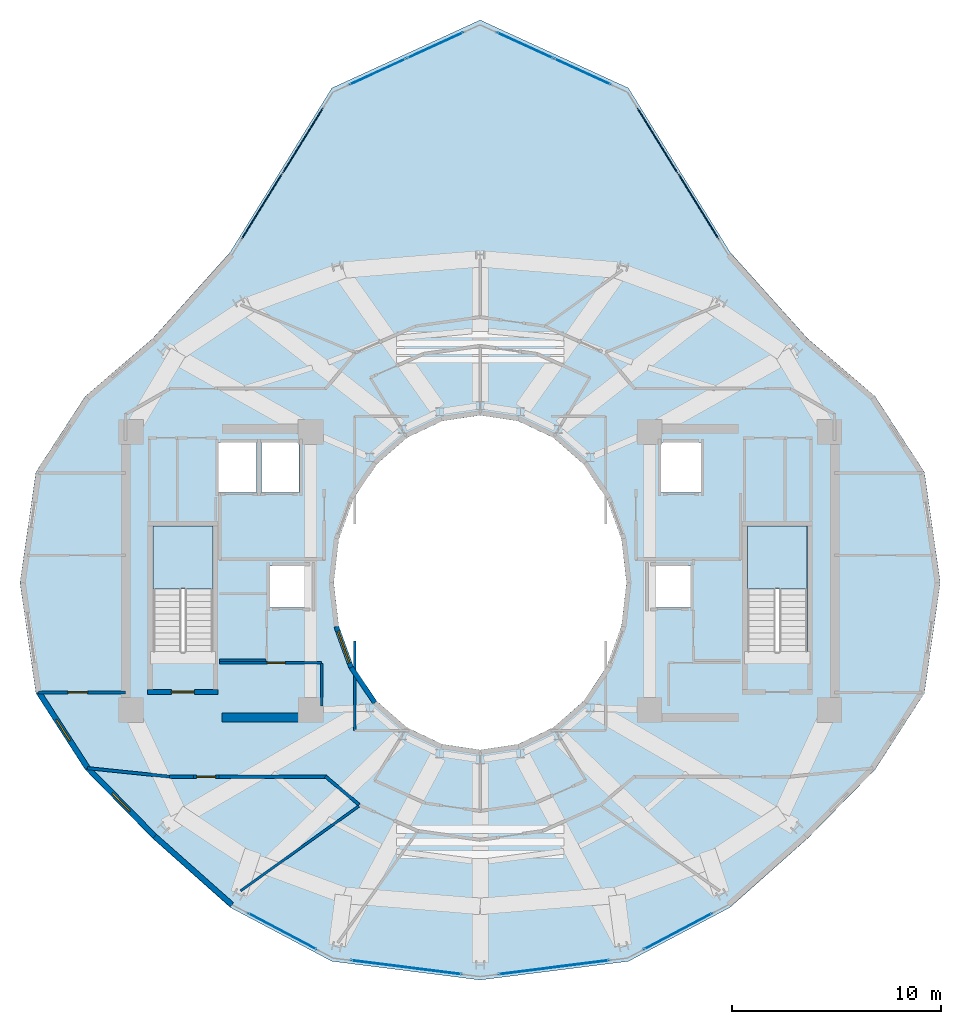
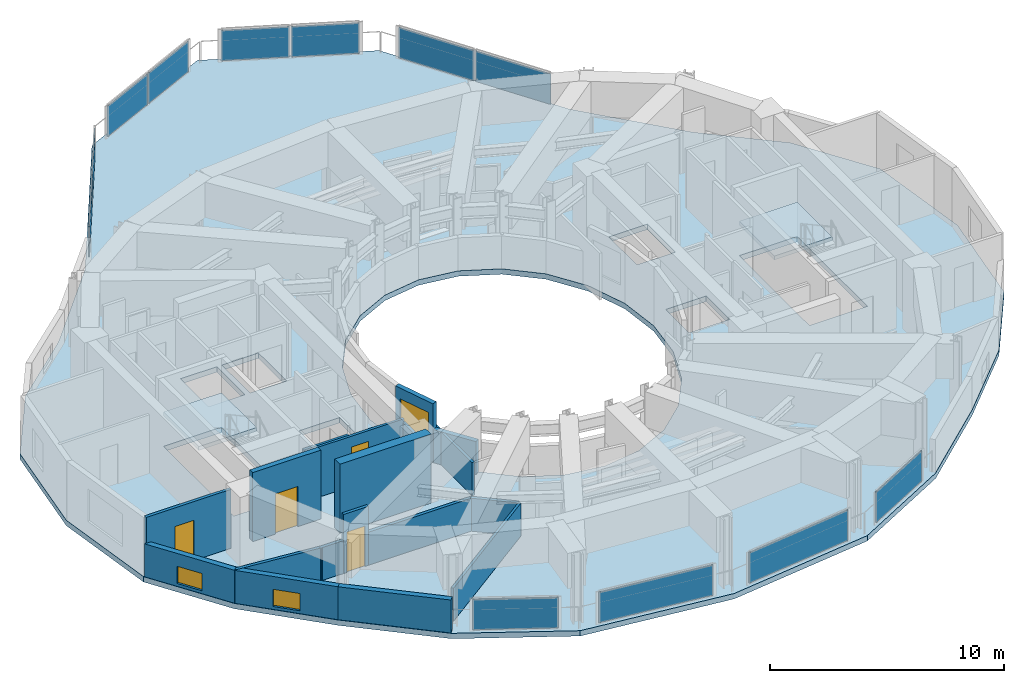
# One storey, part 13 of 21: 18 walls, 12 plates, 4 doors, 3 slabs, 3 windows, 7 openings, 10 elements without a shape of their own.
"""IFC4 building model written with IfcOpenShell, lengths in metres."""

from ifc_helpers import new_model, si_unit, direction, frame, frame_2d, origin, origin_2d, place, context, subcontext, project, spatial, polyline, rectangle, outline, extrude, material, layer, layer_set, type_object, element, fill, aggregate, save


model = new_model("IFC4")

# Units and contexts
model_context = context("Model", 3, precision=1e-05, world=origin(), true_north=direction((0.0, 1.0)))
body_context = subcontext(model_context, "Body", "Model", "MODEL_VIEW")
ifc_project = project(units=[si_unit("LENGTHUNIT", "METRE"), si_unit("AREAUNIT", "SQUARE_METRE"), si_unit("VOLUMEUNIT", "CUBIC_METRE"), si_unit("PLANEANGLEUNIT", "RADIAN"), si_unit("MASSUNIT", "GRAM", prefix="KILO")], contexts=[model_context])

# Site, building, storey
site_placement = place(None, origin())
site = spatial("IfcSite", under=ifc_project, at=site_placement, CompositionType="ELEMENT")
building_placement = place(site_placement, origin())
building = spatial("IfcBuilding", under=site, at=building_placement, Name="Solvane Sanctuary Tower", CompositionType="ELEMENT")
storey_placement = place(building_placement, frame((0.0, 0.0, 256.800048828125)))
storey = spatial("IfcBuildingStorey", under=building, at=storey_placement, Name="L78", CompositionType="ELEMENT", Elevation=256.800048828125)

# Curtain wall, plates
ifc_material_1 = material(Name="Anodised Aluminium 6063-T6", Category="aluminium")
ifc_layer_1 = layer(ifc_material_1, 0.18994140625, Name="Anodised Aluminium 6063-T6")
ifc_layer_set_1 = layer_set([ifc_layer_1], Name="Anodised Aluminium 6063-T6")
curtain_wall_type = type_object("IfcCurtainWallType", Name="Curtain Wall CW-OPER", PredefinedType="NOTDEFINED", material=ifc_layer_set_1)
curtain_wall_1_placement = place(storey_placement, origin())
curtain_wall_1 = element("IfcCurtainWall", 1, at=curtain_wall_1_placement, inside=storey, type_object=curtain_wall_type, Name="L78 CW-OPER Facade Run 04", PredefinedType="NOTDEFINED")
ifc_material_2 = material(Name="Dark Ceramic-Fritted Low-E Glass", Category="glass")
ifc_layer_2 = layer(ifc_material_2, 0.0419921875, Name="Dark Ceramic-Fritted Low-E Glass")
ifc_layer_set_2 = layer_set([ifc_layer_2], Name="Dark Ceramic-Fritted Low-E Glass")
plate_type = type_object("IfcPlateType", Name="Plate PN-OPER-VENT", PredefinedType="CURTAIN_PANEL", material=ifc_layer_set_2)
plate_1_placement = place(storey_placement, frame((42.437255859375, 40.978515625, 0.06494140625), z_axis=(0.0, 0.0, 1.0), x_axis=(-0.527391688453, 0.849622273102, 0.0)))
plate_1 = element("IfcPlate", 2, at=plate_1_placement, type_object=plate_type, Name="CW-OPER panel 1.1", PredefinedType="CURTAIN_PANEL", context=body_context, shape_type="SweptSolid", body=[
    extrude(rectangle(XDim=3.643798828125, YDim=0.0419921875, at=origin_2d()), origin(), (0.0, 0.0, 1.0), 1.590087890625),
])
plate_2_placement = place(storey_placement, frame((40.475830078125, 44.137939453125, 0.06494140625), z_axis=(0.0, 0.0, 1.0), x_axis=(-0.527391688453, 0.849622273102, 0.0)))
plate_2 = element("IfcPlate", 3, at=plate_2_placement, type_object=plate_type, Name="CW-OPER panel 2.1", PredefinedType="CURTAIN_PANEL", context=body_context, shape_type="SweptSolid", body=[
    extrude(rectangle(XDim=3.643798828125, YDim=0.0419921875, at=origin_2d()), origin(), (0.0, 0.0, 1.0), 1.590087890625),
])
aggregate(curtain_wall_1, [plate_1, plate_2])

curtain_wall_2_placement = place(storey_placement, origin())
curtain_wall_2 = element("IfcCurtainWall", 4, at=curtain_wall_2_placement, inside=storey, type_object=curtain_wall_type, Name="L78 CW-OPER Facade Run 05", PredefinedType="NOTDEFINED")
plate_3_placement = place(storey_placement, frame((36.892333984375, 47.430908203125, 0.06494140625), z_axis=(0.0, 0.0, 1.0), x_axis=(-0.909261677661, 0.416224941032, 0.0)))
plate_3 = element("IfcPlate", 5, at=plate_3_placement, type_object=plate_type, Name="CW-OPER panel 1.1", PredefinedType="CURTAIN_PANEL", context=body_context, shape_type="SweptSolid", body=[
    extrude(rectangle(XDim=2.9404296875, YDim=0.0419921875, at=origin_2d()), origin(), (0.0, 0.0, 1.0), 1.590087890625),
])
plate_4_placement = place(storey_placement, frame((34.150634765625, 48.68603515625, 0.06494140625), z_axis=(0.0, 0.0, 1.0), x_axis=(-0.909261677661, 0.416224941032, 0.0)))
plate_4 = element("IfcPlate", 6, at=plate_4_placement, type_object=plate_type, Name="CW-OPER panel 2.1", PredefinedType="CURTAIN_PANEL", context=body_context, shape_type="SweptSolid", body=[
    extrude(rectangle(XDim=2.9404296875, YDim=0.0419921875, at=origin_2d()), origin(), (0.0, 0.0, 1.0), 1.590087890625),
])
aggregate(curtain_wall_2, [plate_3, plate_4])

curtain_wall_3_placement = place(storey_placement, origin())
curtain_wall_3 = element("IfcCurtainWall", 7, at=curtain_wall_3_placement, inside=storey, type_object=curtain_wall_type, Name="L78 CW-OPER Facade Run 06", PredefinedType="NOTDEFINED")
plate_5_placement = place(storey_placement, frame((29.849365234375, 48.68603515625, 0.06494140625), z_axis=(0.0, 0.0, 1.0), x_axis=(-0.909261677661, -0.416224941032, 0.0)))
plate_5 = element("IfcPlate", 8, at=plate_5_placement, type_object=plate_type, Name="CW-OPER panel 1.1", PredefinedType="CURTAIN_PANEL", context=body_context, shape_type="SweptSolid", body=[
    extrude(rectangle(XDim=2.9404296875, YDim=0.0419921875, at=origin_2d()), origin(), (0.0, 0.0, 1.0), 1.590087890625),
])
plate_6_placement = place(storey_placement, frame((27.107666015625, 47.430908203125, 0.06494140625), z_axis=(0.0, 0.0, 1.0), x_axis=(-0.909261677661, -0.416224941032, 0.0)))
plate_6 = element("IfcPlate", 9, at=plate_6_placement, type_object=plate_type, Name="CW-OPER panel 2.1", PredefinedType="CURTAIN_PANEL", context=body_context, shape_type="SweptSolid", body=[
    extrude(rectangle(XDim=2.9404296875, YDim=0.0419921875, at=origin_2d()), origin(), (0.0, 0.0, 1.0), 1.590087890625),
])
aggregate(curtain_wall_3, [plate_5, plate_6])

curtain_wall_4_placement = place(storey_placement, origin())
curtain_wall_4 = element("IfcCurtainWall", 10, at=curtain_wall_4_placement, inside=storey, type_object=curtain_wall_type, Name="L78 CW-OPER Facade Run 07", PredefinedType="NOTDEFINED")
plate_7_placement = place(storey_placement, frame((23.524169921875, 44.137939453125, 0.06494140625), z_axis=(0.0, 0.0, 1.0), x_axis=(-0.527391688453, -0.849622273102, 0.0)))
plate_7 = element("IfcPlate", 11, at=plate_7_placement, type_object=plate_type, Name="CW-OPER panel 1.1", PredefinedType="CURTAIN_PANEL", context=body_context, shape_type="SweptSolid", body=[
    extrude(rectangle(XDim=3.643798828125, YDim=0.0419921875, at=origin_2d()), origin(), (0.0, 0.0, 1.0), 1.590087890625),
])
plate_8_placement = place(storey_placement, frame((21.562744140625, 40.978515625, 0.06494140625), z_axis=(0.0, 0.0, 1.0), x_axis=(-0.527391688453, -0.849622273102, 0.0)))
plate_8 = element("IfcPlate", 12, at=plate_8_placement, type_object=plate_type, Name="CW-OPER panel 2.1", PredefinedType="CURTAIN_PANEL", context=body_context, shape_type="SweptSolid", body=[
    extrude(rectangle(XDim=3.643798828125, YDim=0.0419921875, at=origin_2d()), origin(), (0.0, 0.0, 1.0), 1.590087890625),
])
aggregate(curtain_wall_4, [plate_7, plate_8])

# Curtain wall, plate
curtain_wall_5_placement = place(storey_placement, origin())
curtain_wall_5 = element("IfcCurtainWall", 13, at=curtain_wall_5_placement, inside=storey, type_object=curtain_wall_type, Name="L78 CW-OPER Facade Run 16", PredefinedType="NOTDEFINED")
plate_9_placement = place(storey_placement, frame((22.54345703125, 6.324462890625, 0.06494140625), z_axis=(0.0, 0.0, 1.0), x_axis=(0.883980752049, -0.467523293544, 0.0)))
plate_9 = element("IfcPlate", 14, at=plate_9_placement, type_object=plate_type, Name="CW-OPER panel 1.1", PredefinedType="CURTAIN_PANEL", context=body_context, shape_type="SweptSolid", body=[
    extrude(rectangle(XDim=3.670654296875, YDim=0.0419921875, at=origin_2d()), origin(), (0.0, 0.0, 1.0), 1.590087890625),
])
aggregate(curtain_wall_5, [plate_9])

curtain_wall_6_placement = place(storey_placement, origin())
curtain_wall_6 = element("IfcCurtainWall", 15, at=curtain_wall_6_placement, inside=storey, type_object=curtain_wall_type, Name="L78 CW-OPER Facade Run 17", PredefinedType="NOTDEFINED")
plate_10_placement = place(storey_placement, frame((28.478515625, 4.605224609375, 0.06494140625), z_axis=(0.0, 0.0, 1.0), x_axis=(0.992180050716, -0.124814850727, 0.0)))
plate_10 = element("IfcPlate", 16, at=plate_10_placement, type_object=plate_type, Name="CW-OPER panel 1.1", PredefinedType="CURTAIN_PANEL", context=body_context, shape_type="SweptSolid", body=[
    extrude(rectangle(XDim=5.30859375, YDim=0.0419921875, at=origin_2d()), origin(), (0.0, 0.0, 1.0), 1.590087890625),
])
aggregate(curtain_wall_6, [plate_10])

curtain_wall_7_placement = place(storey_placement, origin())
curtain_wall_7 = element("IfcCurtainWall", 17, at=curtain_wall_7_placement, inside=storey, type_object=curtain_wall_type, Name="L78 CW-OPER Facade Run 18", PredefinedType="NOTDEFINED")
plate_11_placement = place(storey_placement, frame((35.521484375, 4.605224609375, 0.06494140625), z_axis=(0.0, 0.0, 1.0), x_axis=(0.992180050716, 0.124814850727, 0.0)))
plate_11 = element("IfcPlate", 18, at=plate_11_placement, type_object=plate_type, Name="CW-OPER panel 1.1", PredefinedType="CURTAIN_PANEL", context=body_context, shape_type="SweptSolid", body=[
    extrude(rectangle(XDim=5.30859375, YDim=0.0419921875, at=origin_2d()), origin(), (0.0, 0.0, 1.0), 1.590087890625),
])
aggregate(curtain_wall_7, [plate_11])

curtain_wall_8_placement = place(storey_placement, origin())
curtain_wall_8 = element("IfcCurtainWall", 19, at=curtain_wall_8_placement, inside=storey, type_object=curtain_wall_type, Name="L78 CW-OPER Facade Run 19", PredefinedType="NOTDEFINED")
plate_12_placement = place(storey_placement, frame((41.45654296875, 6.324462890625, 0.06494140625), z_axis=(0.0, 0.0, 1.0), x_axis=(0.883980752049, 0.467523293544, 0.0)))
plate_12 = element("IfcPlate", 20, at=plate_12_placement, type_object=plate_type, Name="CW-OPER panel 1.1", PredefinedType="CURTAIN_PANEL", context=body_context, shape_type="SweptSolid", body=[
    extrude(rectangle(XDim=3.670654296875, YDim=0.0419921875, at=origin_2d()), origin(), (0.0, 0.0, 1.0), 1.590087890625),
])
aggregate(curtain_wall_8, [plate_12])

# Slab
ifc_material_3 = material(Name="Concrete C50/60", Category="concrete")
ifc_layer_3 = layer(ifc_material_3, 0.280029296875, Name="Concrete C50/60")
ifc_layer_set_3 = layer_set([ifc_layer_3], Name="Concrete C50/60")
slab_type_1 = type_object("IfcSlabType", Name="Slab SL-CANT-280", PredefinedType="FLOOR", material=ifc_layer_set_3)
slab_1_placement = place(storey_placement, frame((0.0, 0.0, -0.280029296875)))
element("IfcSlab", 21, at=slab_1_placement, inside=storey, type_object=slab_type_1, Name="L78 Primary Structural Slab", PredefinedType="FLOOR", context=body_context, shape_type="SweptSolid", body=[
    extrude(outline(polyline([(54.0, 23.0), (53.239990234375, 28.283935546875), (50.881103515625, 31.9052734375), (47.6572265625, 34.671875), (43.946044921875, 38.804931640625), (39.088134765625, 46.648193359375), (32.0, 49.89990234375), (24.911865234375, 46.648193359375), (20.053955078125, 38.804931640625), (16.3427734375, 34.671875), (13.118896484375, 31.9052734375), (10.760009765625, 28.283935546875), (10.0, 23.0), (10.760009765625, 17.716064453125), (13.118896484375, 14.056884765625), (16.3427734375, 10.7666015625), (20.053955078125, 7.46826171875), (24.911865234375, 4.8935546875), (32.0, 4.0), (39.088134765625, 4.8935546875), (43.946044921875, 7.46826171875), (47.6572265625, 10.7666015625), (50.881103515625, 14.056884765625), (53.239990234375, 17.716064453125), (54.0, 23.0)]), holes=[polyline([(38.761474609375, 20.929443359375), (38.062255859375, 19.0), (36.94970703125, 17.343017578125), (35.5, 16.07177734375), (33.811767578125, 15.272705078125), (32.0, 15.0), (30.188232421875, 15.272705078125), (28.5, 16.07177734375), (27.05029296875, 17.343017578125), (25.937744140625, 19.0), (25.238525390625, 20.929443359375), (25.0, 23.0), (25.238525390625, 25.070556640625), (25.937744140625, 27.0), (27.05029296875, 28.656982421875), (28.5, 29.92822265625), (30.188232421875, 30.727294921875), (32.0, 31.0), (33.811767578125, 30.727294921875), (35.5, 29.92822265625), (36.94970703125, 28.656982421875), (38.062255859375, 27.0), (38.761474609375, 25.070556640625), (39.0, 23.0), (38.761474609375, 20.929443359375)]), polyline([(16.360107421875, 19.699951171875), (16.360107421875, 25.699951171875), (19.219970703125, 25.699951171875), (19.219970703125, 19.699951171875), (16.360107421875, 19.699951171875)]), polyline([(44.780029296875, 19.699951171875), (44.780029296875, 25.699951171875), (47.639892578125, 25.699951171875), (47.639892578125, 19.699951171875), (44.780029296875, 19.699951171875)]), polyline([(21.949951171875, 23.800048828125), (23.949951171875, 23.800048828125), (23.949951171875, 21.800048828125), (21.949951171875, 21.800048828125), (21.949951171875, 23.800048828125)]), polyline([(40.050048828125, 23.800048828125), (42.050048828125, 23.800048828125), (42.050048828125, 21.800048828125), (40.050048828125, 21.800048828125), (40.050048828125, 23.800048828125)]), polyline([(19.5, 29.699951171875), (21.300048828125, 29.699951171875), (21.300048828125, 27.300048828125), (19.5, 27.300048828125), (19.5, 29.699951171875)]), polyline([(21.550048828125, 29.699951171875), (23.35009765625, 29.699951171875), (23.35009765625, 27.300048828125), (21.550048828125, 27.300048828125), (21.550048828125, 29.699951171875)]), polyline([(40.64990234375, 29.699951171875), (42.550048828125, 29.699951171875), (42.550048828125, 27.300048828125), (40.64990234375, 27.300048828125), (40.64990234375, 29.699951171875)])]), origin(), (0.0, 0.0, 1.0), 0.280029296875),
])

# Stair, slab
ifc_material_4 = material(Name="Concrete C45/55", Category="concrete")
stair_type = type_object("IfcStairType", Name="Stair ST-TOW", PredefinedType="HALF_TURN_STAIR", material=ifc_material_4)
stair_1_placement = place(storey_placement, origin())
stair_1 = element("IfcStair", 22, at=stair_1_placement, inside=storey, type_object=stair_type, Name="L78 Exit Stair ST-1 West Core", PredefinedType="HALF_TURN_STAIR")
ifc_layer_4 = layer(ifc_material_4, 0.199951171875, Name="Concrete C45/55")
ifc_layer_set_4 = layer_set([ifc_layer_4], Name="Concrete C45/55")
slab_type_2 = type_object("IfcSlabType", Name="Slab SL-LAND-180", PredefinedType="LANDING", material=ifc_layer_set_4)
slab_2_placement = place(storey_placement, frame((0.0, 0.0, 1.599853515625)))
slab_2 = element("IfcSlab", 23, at=slab_2_placement, type_object=slab_type_2, Name="ST-1 landing 1", PredefinedType="LANDING", context=body_context, shape_type="SweptSolid", body=[
    extrude(outline(polyline([(19.219970703125, 22.699951171875), (19.219970703125, 25.699951171875), (16.360107421875, 25.699951171875), (16.360107421875, 22.699951171875), (19.219970703125, 22.699951171875)])), origin(), (0.0, 0.0, 1.0), 0.2001953125),
])
aggregate(stair_1, [slab_2])

stair_2_placement = place(storey_placement, origin())
stair_2 = element("IfcStair", 24, at=stair_2_placement, inside=storey, type_object=stair_type, Name="L78 Exit Stair ST-2 East Core", PredefinedType="HALF_TURN_STAIR")
slab_3_placement = place(storey_placement, frame((0.0, 0.0, 1.599853515625)))
slab_3 = element("IfcSlab", 25, at=slab_3_placement, type_object=slab_type_2, Name="ST-2 landing 1", PredefinedType="LANDING", context=body_context, shape_type="SweptSolid", body=[
    extrude(outline(polyline([(47.639892578125, 22.699951171875), (47.639892578125, 25.699951171875), (44.780029296875, 25.699951171875), (44.780029296875, 22.699951171875), (47.639892578125, 22.699951171875)])), origin(), (0.0, 0.0, 1.0), 0.2001953125),
])
aggregate(stair_2, [slab_3])

# Wall
ifc_layer_5 = layer(ifc_material_3, 0.449951171875, Name="Concrete C50/60")
ifc_layer_set_5 = layer_set([ifc_layer_5], Name="Concrete C50/60")
wall_type_1 = type_object("IfcWallType", Name="Wall W-CORE-450", PredefinedType="SHEAR", material=ifc_layer_set_5)
wall_1_placement = place(storey_placement, frame((19.64990234375, 16.550048828125, 0.0), z_axis=(0.0, 0.0, 1.0), x_axis=(1.0, 0.0, 0.0)))
element("IfcWall", 26, at=wall_1_placement, inside=storey, type_object=wall_type_1, Name="L78 Core Shear Wall WC-S", PredefinedType="SHEAR", context=body_context, shape_type="SweptSolid", body=[
    extrude(rectangle(XDim=4.5, YDim=0.449951171875, at=frame_2d((2.25, 0.0))), origin(), (0.0, 0.0, 1.0), 3.599853515625),
])

# Wall, opening, door
ifc_material_5 = material(Name="Acoustic Gypsum Partition Board")
ifc_layer_6 = layer(ifc_material_5, 0.14990234375, Name="Acoustic Gypsum Partition Board")
ifc_layer_set_6 = layer_set([ifc_layer_6], Name="Acoustic Gypsum Partition Board")
wall_type_2 = type_object("IfcWallType", Name="Wall W-CORR-150", PredefinedType="PARTITIONING", material=ifc_layer_set_6)
wall_2_placement = place(storey_placement, frame((10.87548828125, 17.754638671875, 0.0), z_axis=(0.0, 0.0, 1.0), x_axis=(1.0, 0.0, 0.0)))
wall_2 = element("IfcWall", 27, at=wall_2_placement, inside=storey, type_object=wall_type_2, Name="L78 West Shoulder South Wall", PredefinedType="PARTITIONING", context=body_context, shape_type="SweptSolid", body=[
    extrude(rectangle(XDim=4.174560546875, YDim=0.14990234375, at=frame_2d((2.08740234375, 0.0))), origin(), (0.0, 0.0, 1.0), 3.074951171875),
])
opening_1_placement = place(wall_2_placement, frame((1.407470703125, 0.0, 0.0)))
opening_1 = element("IfcOpeningElement", 28, at=opening_1_placement, cuts=wall_2, Name="Opening D-L78-19", PredefinedType="OPENING", context=body_context, shape_type="SweptSolid", body=[
    extrude(rectangle(XDim=0.949951171875, YDim=2.10009765625, at=frame_2d((0.47509765625, 1.050048828125))), frame((0.0, 0.0849609375, 0.0), z_axis=(0.0, -1.0, 0.0), x_axis=(1.0, 0.0, 0.0)), (0.0, 0.0, 1.0), 0.169921875),
])
ifc_material_6 = material(Name="Engineered Tropical Hardwood", Category="wood")
door_type_1 = type_object("IfcDoorType", Name="Door D-ROOM-950", OperationType="NOTDEFINED", PredefinedType="DOOR", material=ifc_material_6)
door_1_placement = place(opening_1_placement, origin())
door_1 = element("IfcDoor", 29, at=door_1_placement, inside=storey, type_object=door_type_1, Name="L78 West Shoulder South Door", OperationType="SINGLE_SWING_RIGHT", OverallHeight=2.10009765625, OverallWidth=0.949951171875, PredefinedType="DOOR", context=body_context, shape_type="SweptSolid", body=[
    extrude(rectangle(XDim=0.949951171875, YDim=2.10009765625, at=frame_2d((0.47509765625, 1.050048828125))), frame((0.0, 0.02490234375, 0.0), z_axis=(0.0, -1.0, 0.0), x_axis=(1.0, 0.0, 0.0)), (0.0, 0.0, 1.0), 0.050048828125),
])
fill(opening_1, door_1)

# Walls
wall_3_placement = place(storey_placement, frame((26.208984375, 12.385009765625, 0.0), z_axis=(0.0, 0.0, 1.0), x_axis=(-0.765677451641, 0.643224719711, 0.0)))
element("IfcWall", 30, at=wall_3_placement, inside=storey, type_object=wall_type_2, Name="L78 SW Corner Throat Wall", PredefinedType="PARTITIONING", context=body_context, shape_type="SweptSolid", body=[
    extrude(rectangle(XDim=2.10546875, YDim=0.14990234375, at=frame_2d((1.052734375, 0.0))), origin(), (0.0, 0.0, 1.0), 1.719970703125),
])
wall_4_placement = place(storey_placement, frame((17.14990234375, 13.719970703125, 0.0), z_axis=(0.0, 0.0, 1.0), x_axis=(1.0, 0.0, 0.0)))
element("IfcWall", 31, at=wall_4_placement, inside=storey, type_object=wall_type_2, Name="L78 SW Corner Corridor Wall", PredefinedType="PARTITIONING", context=body_context, shape_type="SweptSolid", body=[
    extrude(rectangle(XDim=1.14013671875, YDim=0.14990234375, at=frame_2d((0.570068359375, 0.0))), origin(), (0.0, 0.0, 1.0), 1.719970703125),
])

# Wall, opening, door
wall_5_placement = place(storey_placement, frame((18.2900390625, 13.719970703125, 0.0), z_axis=(0.0, 0.0, 1.0), x_axis=(1.0, 0.0, 0.0)))
wall_5 = element("IfcWall", 32, at=wall_5_placement, inside=storey, type_object=wall_type_2, Name="L78 SW Corner Corridor Wall", PredefinedType="PARTITIONING", context=body_context, shape_type="SweptSolid", body=[
    extrude(rectangle(XDim=1.219970703125, YDim=0.14990234375, at=frame_2d((0.60986328125, 0.0))), origin(), (0.0, 0.0, 1.0), 3.074951171875),
])
opening_2_placement = place(wall_5_placement, frame((0.159912109375, 0.0, 0.0)))
opening_2 = element("IfcOpeningElement", 33, at=opening_2_placement, cuts=wall_5, Name="Opening D-L78-23", PredefinedType="OPENING", context=body_context, shape_type="SweptSolid", body=[
    extrude(rectangle(XDim=0.89990234375, YDim=2.10009765625, at=frame_2d((0.449951171875, 1.050048828125))), frame((0.0, 0.0849609375, 0.0), z_axis=(0.0, -1.0, 0.0), x_axis=(1.0, 0.0, 0.0)), (0.0, 0.0, 1.0), 0.169921875),
])
door_type_2 = type_object("IfcDoorType", Name="Door D-WET-900", OperationType="NOTDEFINED", PredefinedType="DOOR", material=ifc_material_6)
door_2_placement = place(opening_2_placement, origin())
door_2 = element("IfcDoor", 34, at=door_2_placement, inside=storey, type_object=door_type_2, Name="L78 SW Corner Salon Door", OperationType="SINGLE_SWING_RIGHT", OverallHeight=2.10009765625, OverallWidth=0.89990234375, PredefinedType="DOOR", context=body_context, shape_type="SweptSolid", body=[
    extrude(rectangle(XDim=0.89990234375, YDim=2.10009765625, at=frame_2d((0.449951171875, 1.050048828125))), frame((0.0, 0.02490234375, 0.0), z_axis=(0.0, -1.0, 0.0), x_axis=(1.0, 0.0, 0.0)), (0.0, 0.0, 1.0), 0.050048828125),
])
fill(opening_2, door_2)

# Walls
wall_6_placement = place(storey_placement, frame((19.510009765625, 13.719970703125, 0.0), z_axis=(0.0, 0.0, 1.0), x_axis=(1.0, 0.0, 0.0)))
element("IfcWall", 35, at=wall_6_placement, inside=storey, type_object=wall_type_2, Name="L78 SW Corner Corridor Wall", PredefinedType="PARTITIONING", context=body_context, shape_type="SweptSolid", body=[
    extrude(rectangle(XDim=5.159912109375, YDim=0.14990234375, at=frame_2d((2.580078125, 0.0))), origin(), (0.0, 0.0, 1.0), 1.719970703125),
])
wall_7_placement = place(storey_placement, frame((17.249755859375, 13.71484375, 0.0), z_axis=(0.0, 0.0, 1.0), x_axis=(-0.994734711466, 0.102483431859, 0.0)))
element("IfcWall", 36, at=wall_7_placement, inside=storey, type_object=wall_type_2, Name="L78 SW Corner Wing Wall", PredefinedType="PARTITIONING", context=body_context, shape_type="SweptSolid", body=[
    extrude(rectangle(XDim=4.04736328125, YDim=0.14990234375, at=frame_2d((2.023681640625, 0.0))), origin(), (0.0, 0.0, 1.0), 1.719970703125),
])

# Wall, opening, window
ifc_material_7 = material(Name="Precast concrete C40/50", Category="concrete")
ifc_layer_7 = layer(ifc_material_7, 0.260009765625, Name="Precast concrete C40/50")
ifc_layer_set_7 = layer_set([ifc_layer_7], Name="Precast concrete C40/50")
wall_type_3 = type_object("IfcWallType", Name="Wall W-EXT-250", PredefinedType="STANDARD", material=ifc_layer_set_7)
wall_8_placement = place(storey_placement, frame((10.895263671875, 17.76123046875, 0.0), z_axis=(0.0, 0.0, 1.0), x_axis=(0.542641766008, -0.839964233634, 0.0)))
wall_8 = element("IfcWall", 37, at=wall_8_placement, inside=storey, type_object=wall_type_3, Name="L78 Ceramic-Printed Facade Wall 13", PredefinedType="STANDARD", context=body_context, shape_type="SweptSolid", body=[
    extrude(rectangle(XDim=4.319091796875, YDim=0.260009765625, at=frame_2d((2.15966796875, 0.0))), origin(), (0.0, 0.0, 1.0), 1.719970703125),
])
opening_3_placement = place(wall_8_placement, frame((1.5595703125, 0.0, 0.14990234375)))
opening_3 = element("IfcOpeningElement", 38, at=opening_3_placement, cuts=wall_8, Name="Opening WN-OPER-1200", PredefinedType="OPENING", context=body_context, shape_type="SweptSolid", body=[
    extrude(rectangle(XDim=1.199951171875, YDim=0.89990234375, at=frame_2d((0.60009765625, 0.449951171875))), frame((0.0, 0.139892578125, 0.0), z_axis=(0.0, -1.0, 0.0), x_axis=(1.0, 0.0, 0.0)), (0.0, 0.0, 1.0), 0.280029296875),
])
window_type_1 = type_object("IfcWindowType", Name="Window WN-OPER-1200", PartitioningType="SINGLE_PANEL", PredefinedType="WINDOW", material=ifc_material_2)
window_1_placement = place(opening_3_placement, origin())
window_1 = element("IfcWindow", 39, at=window_1_placement, inside=storey, type_object=window_type_1, Name="L78 Operable Facade Window 13", OverallHeight=0.89990234375, OverallWidth=1.199951171875, PartitioningType="SINGLE_PANEL", PredefinedType="WINDOW", context=body_context, shape_type="SweptSolid", body=[
    extrude(rectangle(XDim=1.199951171875, YDim=0.89990234375, at=frame_2d((0.60009765625, 0.449951171875))), frame((0.0, 0.030029296875, 0.0), z_axis=(0.0, -1.0, 0.0), x_axis=(1.0, 0.0, 0.0)), (0.0, 0.0, 1.0), 0.06005859375),
])
fill(opening_3, window_1)

wall_9_placement = place(storey_placement, frame((13.239013671875, 14.13330078125, 0.0), z_axis=(0.0, 0.0, 1.0), x_axis=(0.700642973333, -0.713512034881, 0.0)))
wall_9 = element("IfcWall", 40, at=wall_9_placement, inside=storey, type_object=wall_type_3, Name="L78 Ceramic-Printed Facade Wall 14", PredefinedType="STANDARD", context=body_context, shape_type="SweptSolid", body=[
    extrude(rectangle(XDim=4.572021484375, YDim=0.260009765625, at=frame_2d((2.2861328125, 0.0))), origin(), (0.0, 0.0, 1.0), 1.719970703125),
])
opening_4_placement = place(wall_9_placement, frame((1.68603515625, 0.0, 0.14990234375)))
opening_4 = element("IfcOpeningElement", 41, at=opening_4_placement, cuts=wall_9, Name="Opening WN-OPER-1200", PredefinedType="OPENING", context=body_context, shape_type="SweptSolid", body=[
    extrude(rectangle(XDim=1.199951171875, YDim=0.89990234375, at=frame_2d((0.60009765625, 0.449951171875))), frame((0.0, 0.139892578125, 0.0), z_axis=(0.0, -1.0, 0.0), x_axis=(1.0, 0.0, 0.0)), (0.0, 0.0, 1.0), 0.280029296875),
])
window_2_placement = place(opening_4_placement, origin())
window_2 = element("IfcWindow", 42, at=window_2_placement, inside=storey, type_object=window_type_1, Name="L78 Operable Facade Window 14", OverallHeight=0.89990234375, OverallWidth=1.199951171875, PartitioningType="SINGLE_PANEL", PredefinedType="WINDOW", context=body_context, shape_type="SweptSolid", body=[
    extrude(rectangle(XDim=1.199951171875, YDim=0.89990234375, at=frame_2d((0.60009765625, 0.449951171875))), frame((0.0, 0.030029296875, 0.0), z_axis=(0.0, -1.0, 0.0), x_axis=(1.0, 0.0, 0.0)), (0.0, 0.0, 1.0), 0.06005859375),
])
fill(opening_4, window_2)

# Wall
wall_10_placement = place(storey_placement, frame((16.4423828125, 10.87109375, 0.0), z_axis=(0.0, 0.0, 1.0), x_axis=(0.748165854006, -0.663511759428, 0.0)))
element("IfcWall", 43, at=wall_10_placement, inside=storey, type_object=wall_type_3, Name="L78 Ceramic-Printed Facade Wall 15", PredefinedType="STANDARD", context=body_context, shape_type="SweptSolid", body=[
    extrude(rectangle(XDim=4.9287109375, YDim=0.260009765625, at=frame_2d((2.46435546875, 0.0))), origin(), (0.0, 0.0, 1.0), 1.719970703125),
])

# Wall, opening, window
ifc_layer_8 = layer(ifc_material_7, 0.22998046875, Name="Precast concrete C40/50")
ifc_layer_set_8 = layer_set([ifc_layer_8], Name="Precast concrete C40/50")
wall_type_4 = type_object("IfcWallType", Name="Wall W-EXT-SP220", PredefinedType="STANDARD", material=ifc_layer_set_8)
wall_11_placement = place(storey_placement, frame((25.12255859375, 20.8984375, 0.0), z_axis=(0.0, 0.0, 1.0), x_axis=(0.341423187295, -0.93990968033, 0.0)))
wall_11 = element("IfcWall", 44, at=wall_11_placement, inside=storey, type_object=wall_type_4, Name="L78 Central Light-Well Wall 13", PredefinedType="STANDARD", context=body_context, shape_type="SweptSolid", body=[
    extrude(rectangle(XDim=2.083740234375, YDim=0.22998046875, at=frame_2d((1.0419921875, 0.0))), origin(), (0.0, 0.0, 1.0), 3.06005859375),
])
opening_5_placement = place(wall_11_placement, frame((0.24169921875, 0.0, 0.85009765625)))
opening_5 = element("IfcOpeningElement", 45, at=opening_5_placement, cuts=wall_11, Name="Opening WN-WELL-1600", PredefinedType="OPENING", context=body_context, shape_type="SweptSolid", body=[
    extrude(rectangle(XDim=1.60009765625, YDim=1.64990234375, at=frame_2d((0.800048828125, 0.824951171875))), frame((0.0, 0.125, 0.0), z_axis=(0.0, -1.0, 0.0), x_axis=(1.0, 0.0, 0.0)), (0.0, 0.0, 1.0), 0.25),
])
ifc_material_8 = material(Name="Clear Laminated Light-Well Glass", Category="glass")
window_type_2 = type_object("IfcWindowType", Name="Window WN-WELL-1600", PartitioningType="SINGLE_PANEL", PredefinedType="WINDOW", material=ifc_material_8)
window_3_placement = place(opening_5_placement, origin())
window_3 = element("IfcWindow", 46, at=window_3_placement, inside=storey, type_object=window_type_2, Name="L78 Light-Well Daylight Window 13", OverallHeight=1.64990234375, OverallWidth=1.60009765625, PartitioningType="SINGLE_PANEL", PredefinedType="WINDOW", context=body_context, shape_type="SweptSolid", body=[
    extrude(rectangle(XDim=1.60009765625, YDim=1.64990234375, at=frame_2d((0.800048828125, 0.824951171875))), frame((0.0, 0.030029296875, 0.0), z_axis=(0.0, -1.0, 0.0), x_axis=(1.0, 0.0, 0.0)), (0.0, 0.0, 1.0), 0.06005859375),
])
fill(opening_5, window_3)

# Walls
wall_12_placement = place(storey_placement, frame((25.833984375, 18.93994140625, 0.0), z_axis=(0.0, 0.0, 1.0), x_axis=(0.558197800898, -0.829707909492, 0.0)))
element("IfcWall", 47, at=wall_12_placement, inside=storey, type_object=wall_type_4, Name="L78 Central Light-Well Wall 14", PredefinedType="STANDARD", context=body_context, shape_type="SweptSolid", body=[
    extrude(rectangle(XDim=2.02685546875, YDim=0.22998046875, at=frame_2d((1.013427734375, 0.0))), origin(), (0.0, 0.0, 1.0), 1.719970703125),
])
ifc_layer_9 = layer(ifc_material_5, 0.1201171875, Name="Acoustic Gypsum Partition Board")
ifc_layer_set_9 = layer_set([ifc_layer_9], Name="Acoustic Gypsum Partition Board")
wall_type_5 = type_object("IfcWallType", Name="Wall W-MOV-100", PredefinedType="MOVABLE", material=ifc_layer_set_9)
wall_13_placement = place(storey_placement, frame((26.206298828125, 12.317626953125, 0.0), z_axis=(0.0, 0.0, 1.0), x_axis=(-0.812763742602, -0.582593424879, 0.0)))
element("IfcWall", 48, at=wall_13_placement, inside=storey, type_object=wall_type_5, Name="L78 Sky Hall Radial Partition 240", PredefinedType="MOVABLE", context=body_context, shape_type="SweptSolid", body=[
    extrude(rectangle(XDim=6.965576171875, YDim=0.1201171875, at=frame_2d((3.48291015625, 0.0))), origin(), (0.0, 0.0, 1.0), 1.719970703125),
])

# Wall, opening, door
ifc_layer_10 = layer(ifc_material_5, 0.125, Name="Acoustic Gypsum Partition Board")
ifc_layer_set_10 = layer_set([ifc_layer_10], Name="Acoustic Gypsum Partition Board")
wall_type_6 = type_object("IfcWallType", Name="Wall W-PART-125", PredefinedType="PARTITIONING", material=ifc_layer_set_10)
wall_14_placement = place(storey_placement, frame((19.550048828125, 19.159912109375, 0.0), z_axis=(0.0, 0.0, 1.0), x_axis=(1.0, 0.0, 0.0)))
wall_14 = element("IfcWall", 49, at=wall_14_placement, inside=storey, type_object=wall_type_6, Name="L78 Reclaimed Room Partition PLW", PredefinedType="PARTITIONING", context=body_context, shape_type="SweptSolid", body=[
    extrude(rectangle(XDim=4.869873046875, YDim=0.125, at=frame_2d((2.43505859375, 0.0))), origin(), (0.0, 0.0, 1.0), 2.619873046875),
])
opening_6_placement = place(wall_14_placement, frame((2.271728515625, 0.0, 0.0)))
opening_6 = element("IfcOpeningElement", 50, at=opening_6_placement, cuts=wall_14, Name="Opening D-L78-05", PredefinedType="OPENING", context=body_context, shape_type="SweptSolid", body=[
    extrude(rectangle(XDim=0.85009765625, YDim=2.050048828125, at=frame_2d((0.425048828125, 1.02490234375))), frame((0.0, 0.072509765625, 0.0), z_axis=(0.0, -1.0, 0.0), x_axis=(1.0, 0.0, 0.0)), (0.0, 0.0, 1.0), 0.14501953125),
])
ifc_material_9 = material(Name="Architectural Stainless Steel 316", Category="steel")
door_type_3 = type_object("IfcDoorType", Name="Door D-RISER", OperationType="NOTDEFINED", PredefinedType="DOOR", material=ifc_material_9)
door_3_placement = place(opening_6_placement, origin())
door_3 = element("IfcDoor", 51, at=door_3_placement, inside=storey, type_object=door_type_3, Name="L78 Reclaimed Room Door PLW-1", OperationType="SINGLE_SWING_RIGHT", OverallHeight=2.050048828125, OverallWidth=0.85009765625, PredefinedType="DOOR", context=body_context, shape_type="SweptSolid", body=[
    extrude(rectangle(XDim=0.85009765625, YDim=2.050048828125, at=frame_2d((0.425048828125, 1.02490234375))), frame((0.0, 0.02490234375, 0.0), z_axis=(0.0, -1.0, 0.0), x_axis=(1.0, 0.0, 0.0)), (0.0, 0.0, 1.0), 0.050048828125),
])
fill(opening_6, door_3)

# Walls
wall_15_placement = place(storey_placement, frame((24.419921875, 17.10009765625, 0.0), z_axis=(0.0, 0.0, 1.0), x_axis=(0.0, 1.0, 0.0)))
element("IfcWall", 52, at=wall_15_placement, inside=storey, type_object=wall_type_6, Name="L78 Reclaimed Room Closer Wall PLW-1", PredefinedType="PARTITIONING", context=body_context, shape_type="SweptSolid", body=[
    extrude(rectangle(XDim=2.039794921875, YDim=0.125, at=frame_2d((1.02001953125, 0.0))), origin(), (0.0, 0.0, 1.0), 2.451904296875),
])
wall_16_placement = place(storey_placement, frame((19.550048828125, 19.280029296875, 0.0), z_axis=(0.0, 0.0, 1.0), x_axis=(1.0, 0.0, 0.0)))
element("IfcWall", 53, at=wall_16_placement, inside=storey, type_object=wall_type_6, Name="L78 Reclaimed Room Closer Wall PMW-1", PredefinedType="PARTITIONING", context=body_context, shape_type="SweptSolid", body=[
    extrude(rectangle(XDim=2.2099609375, YDim=0.125, at=frame_2d((1.10498046875, 0.0))), origin(), (0.0, 0.0, 1.0), 2.619873046875),
])
wall_17_placement = place(storey_placement, frame((26.0, 15.919921875, 0.0), z_axis=(0.0, 0.0, 1.0), x_axis=(0.0, 1.0, 0.0)))
element("IfcWall", 54, at=wall_17_placement, inside=storey, type_object=wall_type_6, Name="L78 Bridge Alcove Wall 5", PredefinedType="PARTITIONING", context=body_context, shape_type="SweptSolid", body=[
    extrude(rectangle(XDim=4.280029296875, YDim=0.125, at=frame_2d((2.14013671875, 0.0))), origin(), (0.0, 0.0, 1.0), 1.719970703125),
])

# Wall, opening, door
ifc_layer_11 = layer(ifc_material_3, 0.25, Name="Concrete C50/60")
ifc_layer_set_11 = layer_set([ifc_layer_11], Name="Concrete C50/60")
wall_type_7 = type_object("IfcWallType", Name="Wall W-SHAFT-250", PredefinedType="SOLIDWALL", material=ifc_layer_set_11)
wall_18_placement = place(storey_placement, frame((16.10498046875, 17.77001953125, 0.0), z_axis=(0.0, 0.0, 1.0), x_axis=(1.0, 0.0, 0.0)))
wall_18 = element("IfcWall", 55, at=wall_18_placement, inside=storey, type_object=wall_type_7, Name="L78 ST-1 Load-Bearing Shaft Wall S", PredefinedType="SOLIDWALL", context=body_context, shape_type="SweptSolid", body=[
    extrude(rectangle(XDim=3.3701171875, YDim=0.25, at=frame_2d((1.68505859375, 0.0))), origin(), (0.0, 0.0, 1.0), 3.599853515625),
])
opening_7_placement = place(wall_18_placement, frame((1.135009765625, 0.0, 0.0)))
opening_7 = element("IfcOpeningElement", 56, at=opening_7_placement, cuts=wall_18, Name="Opening D-L78-01", PredefinedType="OPENING", context=body_context, shape_type="SweptSolid", body=[
    extrude(rectangle(XDim=1.10009765625, YDim=2.10009765625, at=frame_2d((0.550048828125, 1.050048828125))), frame((0.0, 0.135009765625, 0.0), z_axis=(0.0, -1.0, 0.0), x_axis=(1.0, 0.0, 0.0)), (0.0, 0.0, 1.0), 0.27001953125),
])
door_type_4 = type_object("IfcDoorType", Name="Door D-STAIR", OperationType="NOTDEFINED", PredefinedType="DOOR", material=ifc_material_9)
door_4_placement = place(opening_7_placement, origin())
door_4 = element("IfcDoor", 57, at=door_4_placement, inside=storey, type_object=door_type_4, Name="L78 ST-1 Exit Stair Fire Door", OperationType="SINGLE_SWING_LEFT", OverallHeight=2.10009765625, OverallWidth=1.10009765625, PredefinedType="DOOR", context=body_context, shape_type="SweptSolid", body=[
    extrude(rectangle(XDim=1.10009765625, YDim=2.10009765625, at=frame_2d((0.550048828125, 1.050048828125))), frame((0.0, 0.02490234375, 0.0), z_axis=(0.0, -1.0, 0.0), x_axis=(1.0, 0.0, 0.0)), (0.0, 0.0, 1.0), 0.050048828125),
])
fill(opening_7, door_4)

save(model, "model.ifc")
